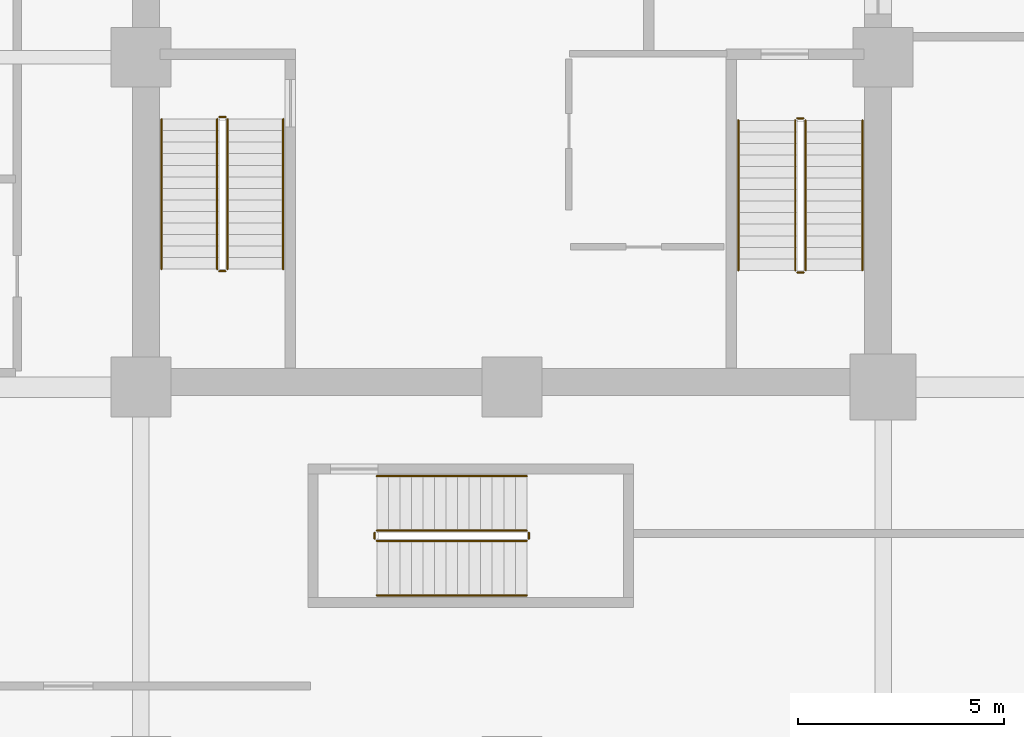
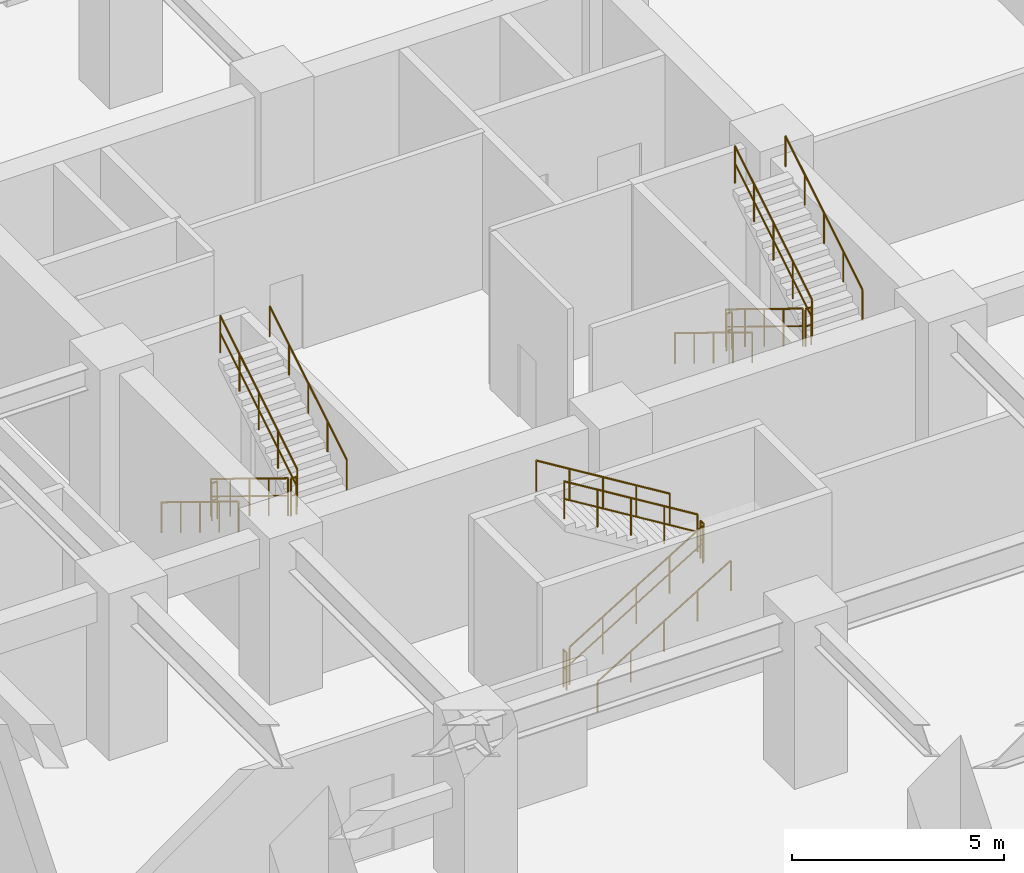
# One storey, part 8 of 9: 18 railings.
"""IFC4 building model written with IfcOpenShell, lengths in metres."""

from ifc_helpers import new_model, si_unit, direction, frame, origin, origin_2d, place, context, subcontext, project, spatial, circle, extrude, material, type_object, element, save


model = new_model("IFC4")

# Units and contexts
model_context = context("Model", 3, precision=1e-05, world=origin(), true_north=direction((0.0, 1.0)))
body_context = subcontext(model_context, "Body", "Model", "MODEL_VIEW")
ifc_project = project(units=[si_unit("LENGTHUNIT", "METRE"), si_unit("AREAUNIT", "SQUARE_METRE"), si_unit("VOLUMEUNIT", "CUBIC_METRE"), si_unit("PLANEANGLEUNIT", "RADIAN"), si_unit("MASSUNIT", "GRAM", prefix="KILO")], contexts=[model_context])

# Site, building, storey
site_placement = place(None, origin())
site = spatial("IfcSite", under=ifc_project, at=site_placement, CompositionType="ELEMENT")
building_placement = place(site_placement, origin())
building = spatial("IfcBuilding", under=site, at=building_placement, Name="Torre Montelarca", CompositionType="ELEMENT")
storey_placement = place(building_placement, frame((0.0, 0.0, -4.800048828125)))
storey = spatial("IfcBuildingStorey", under=building, at=storey_placement, Name="B1", CompositionType="ELEMENT", Elevation=-4.800048828125)

# Railings
ifc_material_1 = material(Name="Powder-coated steel ASTM A500 Grade C", Category="steel")
railing_type_1 = type_object("IfcRailingType", Name="RL-GUARD-1100", PredefinedType="BALUSTRADE", material=ifc_material_1)
railing_1_placement = place(storey_placement, frame((10.85009765625, 30.5, 0.17138671875)))
element("IfcRailing", 1, at=railing_1_placement, inside=storey, type_object=railing_type_1, Name="B1 ST1 stair guard 1", PredefinedType="BALUSTRADE", context=body_context, shape_type="SweptSolid", body=[
    extrude(circle(Radius=0.02392578125, at=origin_2d()), frame((0.0, 0.0, 1.076171875), z_axis=(0.0, -0.852824790078, 0.522197163366), x_axis=(1.0, 0.0, 0.0)), (0.0, 0.0, 1.0), 4.26806640625),
    extrude(circle(Radius=0.02099609375, at=origin_2d()), frame((0.0, 0.0, 0.572021484375), z_axis=(0.0, -0.852824790078, 0.522197163366), x_axis=(1.0, 0.0, 0.0)), (0.0, 0.0, 1.0), 4.26806640625),
    extrude(circle(Radius=0.02099609375, at=origin_2d()), origin(), (0.0, 0.0, 1.0), 1.052001953125),
    extrude(circle(Radius=0.02099609375, at=origin_2d()), frame((0.0, -0.909912109375, 0.55712890625)), (0.0, 0.0, 1.0), 1.052001953125),
    extrude(circle(Radius=0.02099609375, at=origin_2d()), frame((0.0, -1.81982421875, 1.1142578125)), (0.0, 0.0, 1.0), 1.052001953125),
    extrude(circle(Radius=0.02099609375, at=origin_2d()), frame((0.0, -2.72998046875, 1.671630859375)), (0.0, 0.0, 1.0), 1.052001953125),
    extrude(circle(Radius=0.02099609375, at=origin_2d()), frame((0.0, -3.639892578125, 2.228759765625)), (0.0, 0.0, 1.0), 1.052001953125),
])
railing_2_placement = place(storey_placement, frame((10.89990234375, 26.81005859375, 2.400146484375)))
element("IfcRailing", 2, at=railing_2_placement, inside=storey, type_object=railing_type_1, Name="B1 ST1 stair guard 2", PredefinedType="BALUSTRADE", context=body_context, shape_type="SweptSolid", body=[
    extrude(circle(Radius=0.02392578125, at=origin_2d()), frame((0.0, 0.0, 1.076171875), z_axis=(1.0, 0.0, 0.0), x_axis=(0.0, 1.0, 0.0)), (0.0, 0.0, 1.0), 0.150146484375),
    extrude(circle(Radius=0.02099609375, at=origin_2d()), frame((0.0, 0.0, 0.572021484375), z_axis=(1.0, 0.0, 0.0), x_axis=(0.0, 1.0, 0.0)), (0.0, 0.0, 1.0), 0.150146484375),
    extrude(circle(Radius=0.02099609375, at=origin_2d()), origin(), (0.0, 0.0, 1.0), 1.052001953125),
    extrude(circle(Radius=0.02099609375, at=origin_2d()), frame((0.150146484375, 0.0, 0.0)), (0.0, 0.0, 1.0), 1.052001953125),
])
railing_3_placement = place(storey_placement, frame((11.10009765625, 26.860107421875, 2.571533203125)))
element("IfcRailing", 3, at=railing_3_placement, inside=storey, type_object=railing_type_1, Name="B1 ST1 stair guard 3", PredefinedType="BALUSTRADE", context=body_context, shape_type="SweptSolid", body=[
    extrude(circle(Radius=0.02392578125, at=origin_2d()), frame((0.0, 0.0, 1.076171875), z_axis=(0.0, 0.852850264322, 0.5221555579), x_axis=(-1.0, 0.0, 0.0)), (0.0, 0.0, 1.0), 4.267822265625),
    extrude(circle(Radius=0.02099609375, at=origin_2d()), frame((0.0, 0.0, 0.572021484375), z_axis=(0.0, 0.852850264322, 0.5221555579), x_axis=(-1.0, 0.0, 0.0)), (0.0, 0.0, 1.0), 4.267822265625),
    extrude(circle(Radius=0.02099609375, at=origin_2d()), origin(), (0.0, 0.0, 1.0), 1.052001953125),
    extrude(circle(Radius=0.02099609375, at=origin_2d()), frame((0.0, 0.909912109375, 0.55712890625)), (0.0, 0.0, 1.0), 1.052001953125),
    extrude(circle(Radius=0.02099609375, at=origin_2d()), frame((0.0, 1.81982421875, 1.1142578125)), (0.0, 0.0, 1.0), 1.052001953125),
    extrude(circle(Radius=0.02099609375, at=origin_2d()), frame((0.0, 2.72998046875, 1.67138671875)), (0.0, 0.0, 1.0), 1.052001953125),
    extrude(circle(Radius=0.02099609375, at=origin_2d()), frame((0.0, 3.639892578125, 2.228515625)), (0.0, 0.0, 1.0), 1.052001953125),
])
railing_4_placement = place(storey_placement, frame((10.89990234375, 30.550048828125, 0.0)))
element("IfcRailing", 4, at=railing_4_placement, inside=storey, type_object=railing_type_1, Name="B1 ST1 stair guard 4", PredefinedType="BALUSTRADE", context=body_context, shape_type="SweptSolid", body=[
    extrude(circle(Radius=0.02392578125, at=origin_2d()), frame((0.0, 0.0, 1.076171875), z_axis=(1.0, 0.0, 0.0), x_axis=(0.0, 1.0, 0.0)), (0.0, 0.0, 1.0), 0.150146484375),
    extrude(circle(Radius=0.02099609375, at=origin_2d()), frame((0.0, 0.0, 0.572021484375), z_axis=(1.0, 0.0, 0.0), x_axis=(0.0, 1.0, 0.0)), (0.0, 0.0, 1.0), 0.150146484375),
    extrude(circle(Radius=0.02099609375, at=origin_2d()), origin(), (0.0, 0.0, 1.0), 1.052001953125),
    extrude(circle(Radius=0.02099609375, at=origin_2d()), frame((0.150146484375, 0.0, 0.0)), (0.0, 0.0, 1.0), 1.052001953125),
])
railing_5_placement = place(storey_placement, frame((24.8701171875, 30.469970703125, 0.17138671875)))
element("IfcRailing", 5, at=railing_5_placement, inside=storey, type_object=railing_type_1, Name="B1 ST2 stair guard 1", PredefinedType="BALUSTRADE", context=body_context, shape_type="SweptSolid", body=[
    extrude(circle(Radius=0.02392578125, at=origin_2d()), frame((0.0, 0.0, 1.076171875), z_axis=(0.0, -0.852824790078, 0.522197163366), x_axis=(1.0, 0.0, 0.0)), (0.0, 0.0, 1.0), 4.26806640625),
    extrude(circle(Radius=0.02099609375, at=origin_2d()), frame((0.0, 0.0, 0.572021484375), z_axis=(0.0, -0.852824790078, 0.522197163366), x_axis=(1.0, 0.0, 0.0)), (0.0, 0.0, 1.0), 4.26806640625),
    extrude(circle(Radius=0.02099609375, at=origin_2d()), origin(), (0.0, 0.0, 1.0), 1.052001953125),
    extrude(circle(Radius=0.02099609375, at=origin_2d()), frame((0.0, -0.909912109375, 0.55712890625)), (0.0, 0.0, 1.0), 1.052001953125),
    extrude(circle(Radius=0.02099609375, at=origin_2d()), frame((0.0, -1.81982421875, 1.1142578125)), (0.0, 0.0, 1.0), 1.052001953125),
    extrude(circle(Radius=0.02099609375, at=origin_2d()), frame((0.0, -2.72998046875, 1.671630859375)), (0.0, 0.0, 1.0), 1.052001953125),
    extrude(circle(Radius=0.02099609375, at=origin_2d()), frame((0.0, -3.639892578125, 2.228759765625)), (0.0, 0.0, 1.0), 1.052001953125),
])
railing_6_placement = place(storey_placement, frame((24.919921875, 26.780029296875, 2.400146484375)))
element("IfcRailing", 6, at=railing_6_placement, inside=storey, type_object=railing_type_1, Name="B1 ST2 stair guard 2", PredefinedType="BALUSTRADE", context=body_context, shape_type="SweptSolid", body=[
    extrude(circle(Radius=0.02392578125, at=origin_2d()), frame((0.0, 0.0, 1.076171875), z_axis=(1.0, 0.0, 0.0), x_axis=(0.0, 1.0, 0.0)), (0.0, 0.0, 1.0), 0.150146484375),
    extrude(circle(Radius=0.02099609375, at=origin_2d()), frame((0.0, 0.0, 0.572021484375), z_axis=(1.0, 0.0, 0.0), x_axis=(0.0, 1.0, 0.0)), (0.0, 0.0, 1.0), 0.150146484375),
    extrude(circle(Radius=0.02099609375, at=origin_2d()), origin(), (0.0, 0.0, 1.0), 1.052001953125),
    extrude(circle(Radius=0.02099609375, at=origin_2d()), frame((0.150146484375, 0.0, 0.0)), (0.0, 0.0, 1.0), 1.052001953125),
])
railing_7_placement = place(storey_placement, frame((25.1201171875, 26.830078125, 2.571533203125)))
element("IfcRailing", 7, at=railing_7_placement, inside=storey, type_object=railing_type_1, Name="B1 ST2 stair guard 3", PredefinedType="BALUSTRADE", context=body_context, shape_type="SweptSolid", body=[
    extrude(circle(Radius=0.02392578125, at=origin_2d()), frame((0.0, 0.0, 1.076171875), z_axis=(0.0, 0.852850264322, 0.5221555579), x_axis=(-1.0, 0.0, 0.0)), (0.0, 0.0, 1.0), 4.267822265625),
    extrude(circle(Radius=0.02099609375, at=origin_2d()), frame((0.0, 0.0, 0.572021484375), z_axis=(0.0, 0.852850264322, 0.5221555579), x_axis=(-1.0, 0.0, 0.0)), (0.0, 0.0, 1.0), 4.267822265625),
    extrude(circle(Radius=0.02099609375, at=origin_2d()), origin(), (0.0, 0.0, 1.0), 1.052001953125),
    extrude(circle(Radius=0.02099609375, at=origin_2d()), frame((0.0, 0.909912109375, 0.55712890625)), (0.0, 0.0, 1.0), 1.052001953125),
    extrude(circle(Radius=0.02099609375, at=origin_2d()), frame((0.0, 1.81982421875, 1.1142578125)), (0.0, 0.0, 1.0), 1.052001953125),
    extrude(circle(Radius=0.02099609375, at=origin_2d()), frame((0.0, 2.72998046875, 1.67138671875)), (0.0, 0.0, 1.0), 1.052001953125),
    extrude(circle(Radius=0.02099609375, at=origin_2d()), frame((0.0, 3.639892578125, 2.228515625)), (0.0, 0.0, 1.0), 1.052001953125),
])
railing_8_placement = place(storey_placement, frame((24.919921875, 30.52001953125, 0.0)))
element("IfcRailing", 8, at=railing_8_placement, inside=storey, type_object=railing_type_1, Name="B1 ST2 stair guard 4", PredefinedType="BALUSTRADE", context=body_context, shape_type="SweptSolid", body=[
    extrude(circle(Radius=0.02392578125, at=origin_2d()), frame((0.0, 0.0, 1.076171875), z_axis=(1.0, 0.0, 0.0), x_axis=(0.0, 1.0, 0.0)), (0.0, 0.0, 1.0), 0.150146484375),
    extrude(circle(Radius=0.02099609375, at=origin_2d()), frame((0.0, 0.0, 0.572021484375), z_axis=(1.0, 0.0, 0.0), x_axis=(0.0, 1.0, 0.0)), (0.0, 0.0, 1.0), 0.150146484375),
    extrude(circle(Radius=0.02099609375, at=origin_2d()), origin(), (0.0, 0.0, 1.0), 1.052001953125),
    extrude(circle(Radius=0.02099609375, at=origin_2d()), frame((0.150146484375, 0.0, 0.0)), (0.0, 0.0, 1.0), 1.052001953125),
])
railing_9_placement = place(storey_placement, frame((14.719970703125, 20.27001953125, 0.17138671875)))
element("IfcRailing", 9, at=railing_9_placement, inside=storey, type_object=railing_type_1, Name="B1 ST3 stair guard 1", PredefinedType="BALUSTRADE", context=body_context, shape_type="SweptSolid", body=[
    extrude(circle(Radius=0.02392578125, at=origin_2d()), frame((0.0, 0.0, 1.076171875), z_axis=(0.852840387347, 0.0, 0.522171689878), x_axis=(0.0, 1.0, 0.0)), (0.0, 0.0, 1.0), 4.268310546875),
    extrude(circle(Radius=0.02099609375, at=origin_2d()), frame((0.0, 0.0, 0.572021484375), z_axis=(0.852840387347, 0.0, 0.522171689878), x_axis=(0.0, 1.0, 0.0)), (0.0, 0.0, 1.0), 4.268310546875),
    extrude(circle(Radius=0.02099609375, at=origin_2d()), origin(), (0.0, 0.0, 1.0), 1.052001953125),
    extrude(circle(Radius=0.02099609375, at=origin_2d()), frame((0.91015625, 0.0, 0.55712890625)), (0.0, 0.0, 1.0), 1.052001953125),
    extrude(circle(Radius=0.02099609375, at=origin_2d()), frame((1.820068359375, 0.0, 1.1142578125)), (0.0, 0.0, 1.0), 1.052001953125),
    extrude(circle(Radius=0.02099609375, at=origin_2d()), frame((2.72998046875, 0.0, 1.671630859375)), (0.0, 0.0, 1.0), 1.052001953125),
    extrude(circle(Radius=0.02099609375, at=origin_2d()), frame((3.64013671875, 0.0, 2.228759765625)), (0.0, 0.0, 1.0), 1.052001953125),
])
railing_10_placement = place(storey_placement, frame((18.409912109375, 20.320068359375, 2.400146484375)))
element("IfcRailing", 10, at=railing_10_placement, inside=storey, type_object=railing_type_1, Name="B1 ST3 stair guard 2", PredefinedType="BALUSTRADE", context=body_context, shape_type="SweptSolid", body=[
    extrude(circle(Radius=0.02392578125, at=origin_2d()), frame((0.0, 0.0, 1.076171875), z_axis=(0.0, 1.0, 0.0), x_axis=(-1.0, 0.0, 0.0)), (0.0, 0.0, 1.0), 0.14990234375),
    extrude(circle(Radius=0.02099609375, at=origin_2d()), frame((0.0, 0.0, 0.572021484375), z_axis=(0.0, 1.0, 0.0), x_axis=(-1.0, 0.0, 0.0)), (0.0, 0.0, 1.0), 0.14990234375),
    extrude(circle(Radius=0.02099609375, at=origin_2d()), origin(), (0.0, 0.0, 1.0), 1.052001953125),
    extrude(circle(Radius=0.02099609375, at=origin_2d()), frame((0.0, 0.14990234375, 0.0)), (0.0, 0.0, 1.0), 1.052001953125),
])
railing_11_placement = place(storey_placement, frame((18.360107421875, 20.52001953125, 2.571533203125)))
element("IfcRailing", 11, at=railing_11_placement, inside=storey, type_object=railing_type_1, Name="B1 ST3 stair guard 3", PredefinedType="BALUSTRADE", context=body_context, shape_type="SweptSolid", body=[
    extrude(circle(Radius=0.02392578125, at=origin_2d()), frame((0.0, 0.0, 1.076171875), z_axis=(-0.852865859571, 0.0, 0.52213008492), x_axis=(0.0, -1.0, 0.0)), (0.0, 0.0, 1.0), 4.26806640625),
    extrude(circle(Radius=0.02099609375, at=origin_2d()), frame((0.0, 0.0, 0.572021484375), z_axis=(-0.852865859571, 0.0, 0.52213008492), x_axis=(0.0, -1.0, 0.0)), (0.0, 0.0, 1.0), 4.26806640625),
    extrude(circle(Radius=0.02099609375, at=origin_2d()), origin(), (0.0, 0.0, 1.0), 1.052001953125),
    extrude(circle(Radius=0.02099609375, at=origin_2d()), frame((-0.91015625, 0.0, 0.55712890625)), (0.0, 0.0, 1.0), 1.052001953125),
    extrude(circle(Radius=0.02099609375, at=origin_2d()), frame((-1.820068359375, 0.0, 1.1142578125)), (0.0, 0.0, 1.0), 1.052001953125),
    extrude(circle(Radius=0.02099609375, at=origin_2d()), frame((-2.72998046875, 0.0, 1.67138671875)), (0.0, 0.0, 1.0), 1.052001953125),
    extrude(circle(Radius=0.02099609375, at=origin_2d()), frame((-3.64013671875, 0.0, 2.228515625)), (0.0, 0.0, 1.0), 1.052001953125),
])
railing_12_placement = place(storey_placement, frame((14.669921875, 20.320068359375, 0.0)))
element("IfcRailing", 12, at=railing_12_placement, inside=storey, type_object=railing_type_1, Name="B1 ST3 stair guard 4", PredefinedType="BALUSTRADE", context=body_context, shape_type="SweptSolid", body=[
    extrude(circle(Radius=0.02392578125, at=origin_2d()), frame((0.0, 0.0, 1.076171875), z_axis=(0.0, 1.0, 0.0), x_axis=(-1.0, 0.0, 0.0)), (0.0, 0.0, 1.0), 0.14990234375),
    extrude(circle(Radius=0.02099609375, at=origin_2d()), frame((0.0, 0.0, 0.572021484375), z_axis=(0.0, 1.0, 0.0), x_axis=(-1.0, 0.0, 0.0)), (0.0, 0.0, 1.0), 0.14990234375),
    extrude(circle(Radius=0.02099609375, at=origin_2d()), origin(), (0.0, 0.0, 1.0), 1.052001953125),
    extrude(circle(Radius=0.02099609375, at=origin_2d()), frame((0.0, 0.14990234375, 0.0)), (0.0, 0.0, 1.0), 1.052001953125),
])
ifc_material_2 = material(Name="Brushed stainless steel AISI 316", Category="steel")
railing_type_2 = type_object("IfcRailingType", Name="RL-HANDRAIL-900", PredefinedType="HANDRAIL", material=ifc_material_2)
railing_13_placement = place(storey_placement, frame((9.5, 30.5, 0.17138671875)))
element("IfcRailing", 13, at=railing_13_placement, inside=storey, type_object=railing_type_2, Name="B1 ST1 stair handrail 1", PredefinedType="HANDRAIL", context=body_context, shape_type="SweptSolid", body=[
    extrude(circle(Radius=0.02392578125, at=origin_2d()), frame((0.0, 0.0, 0.8759765625), z_axis=(0.0, -0.852824790078, 0.522197163366), x_axis=(1.0, 0.0, 0.0)), (0.0, 0.0, 1.0), 4.26806640625),
    extrude(circle(Radius=0.02099609375, at=origin_2d()), origin(), (0.0, 0.0, 1.0), 0.851806640625),
    extrude(circle(Radius=0.02099609375, at=origin_2d()), frame((0.0, -0.909912109375, 0.55712890625)), (0.0, 0.0, 1.0), 0.851806640625),
    extrude(circle(Radius=0.02099609375, at=origin_2d()), frame((0.0, -1.81982421875, 1.1142578125)), (0.0, 0.0, 1.0), 0.851806640625),
    extrude(circle(Radius=0.02099609375, at=origin_2d()), frame((0.0, -2.72998046875, 1.671630859375)), (0.0, 0.0, 1.0), 0.851806640625),
    extrude(circle(Radius=0.02099609375, at=origin_2d()), frame((0.0, -3.639892578125, 2.228759765625)), (0.0, 0.0, 1.0), 0.851806640625),
])
railing_14_placement = place(storey_placement, frame((12.449951171875, 26.860107421875, 2.571533203125)))
element("IfcRailing", 14, at=railing_14_placement, inside=storey, type_object=railing_type_2, Name="B1 ST1 stair handrail 2", PredefinedType="HANDRAIL", context=body_context, shape_type="SweptSolid", body=[
    extrude(circle(Radius=0.02392578125, at=origin_2d()), frame((0.0, 0.0, 0.8759765625), z_axis=(0.0, 0.852850264322, 0.5221555579), x_axis=(-1.0, 0.0, 0.0)), (0.0, 0.0, 1.0), 4.267822265625),
    extrude(circle(Radius=0.02099609375, at=origin_2d()), origin(), (0.0, 0.0, 1.0), 0.851806640625),
    extrude(circle(Radius=0.02099609375, at=origin_2d()), frame((0.0, 0.909912109375, 0.55712890625)), (0.0, 0.0, 1.0), 0.851806640625),
    extrude(circle(Radius=0.02099609375, at=origin_2d()), frame((0.0, 1.81982421875, 1.1142578125)), (0.0, 0.0, 1.0), 0.851806640625),
    extrude(circle(Radius=0.02099609375, at=origin_2d()), frame((0.0, 2.72998046875, 1.67138671875)), (0.0, 0.0, 1.0), 0.851806640625),
    extrude(circle(Radius=0.02099609375, at=origin_2d()), frame((0.0, 3.639892578125, 2.228515625)), (0.0, 0.0, 1.0), 0.851806640625),
])
railing_15_placement = place(storey_placement, frame((23.489990234375, 30.469970703125, 0.17138671875)))
element("IfcRailing", 15, at=railing_15_placement, inside=storey, type_object=railing_type_2, Name="B1 ST2 stair handrail 1", PredefinedType="HANDRAIL", context=body_context, shape_type="SweptSolid", body=[
    extrude(circle(Radius=0.02392578125, at=origin_2d()), frame((0.0, 0.0, 0.8759765625), z_axis=(0.0, -0.852824790078, 0.522197163366), x_axis=(1.0, 0.0, 0.0)), (0.0, 0.0, 1.0), 4.26806640625),
    extrude(circle(Radius=0.02099609375, at=origin_2d()), origin(), (0.0, 0.0, 1.0), 0.851806640625),
    extrude(circle(Radius=0.02099609375, at=origin_2d()), frame((0.0, -0.909912109375, 0.55712890625)), (0.0, 0.0, 1.0), 0.851806640625),
    extrude(circle(Radius=0.02099609375, at=origin_2d()), frame((0.0, -1.81982421875, 1.1142578125)), (0.0, 0.0, 1.0), 0.851806640625),
    extrude(circle(Radius=0.02099609375, at=origin_2d()), frame((0.0, -2.72998046875, 1.671630859375)), (0.0, 0.0, 1.0), 0.851806640625),
    extrude(circle(Radius=0.02099609375, at=origin_2d()), frame((0.0, -3.639892578125, 2.228759765625)), (0.0, 0.0, 1.0), 0.851806640625),
])
railing_16_placement = place(storey_placement, frame((26.5, 26.830078125, 2.571533203125)))
element("IfcRailing", 16, at=railing_16_placement, inside=storey, type_object=railing_type_2, Name="B1 ST2 stair handrail 2", PredefinedType="HANDRAIL", context=body_context, shape_type="SweptSolid", body=[
    extrude(circle(Radius=0.02392578125, at=origin_2d()), frame((0.0, 0.0, 0.8759765625), z_axis=(0.0, 0.852850264322, 0.5221555579), x_axis=(-1.0, 0.0, 0.0)), (0.0, 0.0, 1.0), 4.267822265625),
    extrude(circle(Radius=0.02099609375, at=origin_2d()), origin(), (0.0, 0.0, 1.0), 0.851806640625),
    extrude(circle(Radius=0.02099609375, at=origin_2d()), frame((0.0, 0.909912109375, 0.55712890625)), (0.0, 0.0, 1.0), 0.851806640625),
    extrude(circle(Radius=0.02099609375, at=origin_2d()), frame((0.0, 1.81982421875, 1.1142578125)), (0.0, 0.0, 1.0), 0.851806640625),
    extrude(circle(Radius=0.02099609375, at=origin_2d()), frame((0.0, 2.72998046875, 1.67138671875)), (0.0, 0.0, 1.0), 0.851806640625),
    extrude(circle(Radius=0.02099609375, at=origin_2d()), frame((0.0, 3.639892578125, 2.228515625)), (0.0, 0.0, 1.0), 0.851806640625),
])
railing_17_placement = place(storey_placement, frame((14.719970703125, 18.949951171875, 0.17138671875)))
element("IfcRailing", 17, at=railing_17_placement, inside=storey, type_object=railing_type_2, Name="B1 ST3 stair handrail 1", PredefinedType="HANDRAIL", context=body_context, shape_type="SweptSolid", body=[
    extrude(circle(Radius=0.02392578125, at=origin_2d()), frame((0.0, 0.0, 0.8759765625), z_axis=(0.852840387347, 0.0, 0.522171689878), x_axis=(0.0, 1.0, 0.0)), (0.0, 0.0, 1.0), 4.268310546875),
    extrude(circle(Radius=0.02099609375, at=origin_2d()), origin(), (0.0, 0.0, 1.0), 0.851806640625),
    extrude(circle(Radius=0.02099609375, at=origin_2d()), frame((0.91015625, 0.0, 0.55712890625)), (0.0, 0.0, 1.0), 0.851806640625),
    extrude(circle(Radius=0.02099609375, at=origin_2d()), frame((1.820068359375, 0.0, 1.1142578125)), (0.0, 0.0, 1.0), 0.851806640625),
    extrude(circle(Radius=0.02099609375, at=origin_2d()), frame((2.72998046875, 0.0, 1.671630859375)), (0.0, 0.0, 1.0), 0.851806640625),
    extrude(circle(Radius=0.02099609375, at=origin_2d()), frame((3.64013671875, 0.0, 2.228759765625)), (0.0, 0.0, 1.0), 0.851806640625),
])
railing_18_placement = place(storey_placement, frame((18.360107421875, 21.840087890625, 2.571533203125)))
element("IfcRailing", 18, at=railing_18_placement, inside=storey, type_object=railing_type_2, Name="B1 ST3 stair handrail 2", PredefinedType="HANDRAIL", context=body_context, shape_type="SweptSolid", body=[
    extrude(circle(Radius=0.02392578125, at=origin_2d()), frame((0.0, 0.0, 0.8759765625), z_axis=(-0.852865859571, 0.0, 0.52213008492), x_axis=(0.0, -1.0, 0.0)), (0.0, 0.0, 1.0), 4.26806640625),
    extrude(circle(Radius=0.02099609375, at=origin_2d()), origin(), (0.0, 0.0, 1.0), 0.851806640625),
    extrude(circle(Radius=0.02099609375, at=origin_2d()), frame((-0.91015625, 0.0, 0.55712890625)), (0.0, 0.0, 1.0), 0.851806640625),
    extrude(circle(Radius=0.02099609375, at=origin_2d()), frame((-1.820068359375, 0.0, 1.1142578125)), (0.0, 0.0, 1.0), 0.851806640625),
    extrude(circle(Radius=0.02099609375, at=origin_2d()), frame((-2.72998046875, 0.0, 1.67138671875)), (0.0, 0.0, 1.0), 0.851806640625),
    extrude(circle(Radius=0.02099609375, at=origin_2d()), frame((-3.64013671875, 0.0, 2.228515625)), (0.0, 0.0, 1.0), 0.851806640625),
])

save(model, "model.ifc")
